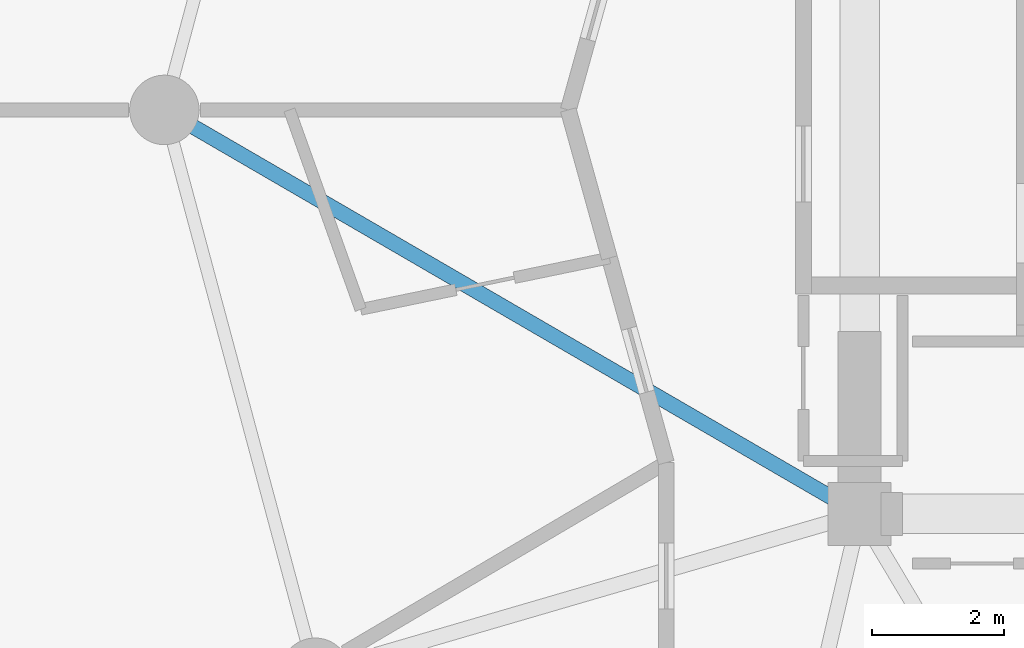
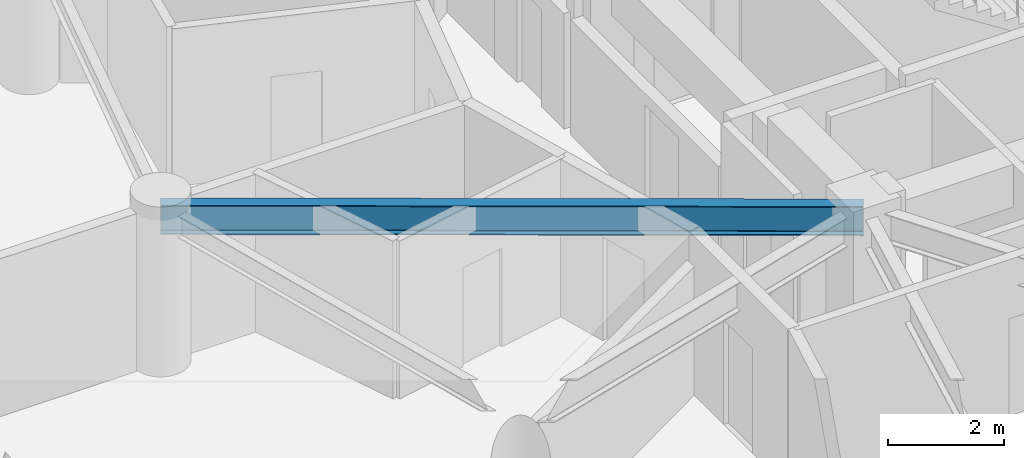
# One storey, part 7 of 25: 1 beam.
"""IFC4 building model written with IfcOpenShell, lengths in metres."""

from ifc_helpers import new_model, si_unit, direction, frame, origin, origin_2d, place, context, subcontext, project, spatial, i_section, extrude, material, material_profile, profile_set, type_object, element, save


model = new_model("IFC4")

# Units and contexts
model_context = context("Model", 3, precision=1e-05, world=origin(), true_north=direction((0.0, 1.0)))
body_context = subcontext(model_context, "Body", "Model", "MODEL_VIEW")
ifc_project = project(units=[si_unit("LENGTHUNIT", "METRE"), si_unit("AREAUNIT", "SQUARE_METRE"), si_unit("VOLUMEUNIT", "CUBIC_METRE"), si_unit("PLANEANGLEUNIT", "RADIAN"), si_unit("MASSUNIT", "GRAM", prefix="KILO")], contexts=[model_context])

# Site, building, storey
site_placement = place(None, origin())
site = spatial("IfcSite", under=ifc_project, at=site_placement, CompositionType="ELEMENT")
building_placement = place(site_placement, origin())
building = spatial("IfcBuilding", under=site, at=building_placement, Name="Solvirekh Grand Hotel", CompositionType="ELEMENT")
storey_placement = place(building_placement, frame((0.0, 0.0, 127.800048828125)))
storey = spatial("IfcBuildingStorey", under=building, at=storey_placement, Name="L32", CompositionType="ELEMENT", Elevation=127.800048828125)

# Beam
ifc_material = material(Name="Steel S355", Category="steel")
ifc_material_profile = material_profile(ifc_material, i_section(OverallWidth=0.22802734375, OverallDepth=0.616943359375, WebThickness=0.012939453125, FlangeThickness=0.02001953125, FilletRadius=0.014892578125, at=origin_2d()), Name="W610X140")
ifc_profile_set = profile_set([ifc_material_profile], Name="Steel S355")
beam_type = type_object("IfcBeamType", Name="Beam_Radial_W610", PredefinedType="BEAM", material=ifc_profile_set)
beam_placement = place(storey_placement, frame((-6.5, -6.10009765625, 3.041015625), z_axis=(-0.864670076815, 0.50234018181, 0.0), x_axis=(-0.50234018181, -0.864670076815, 0.0)))
element("IfcBeam", 1, at=beam_placement, inside=storey, type_object=beam_type, Name="L32 radial floor beam R07", PredefinedType="BEAM", context=body_context, shape_type="SweptSolid", body=[
    extrude(i_section(OverallWidth=0.22802734375, OverallDepth=0.616943359375, WebThickness=0.012939453125, FlangeThickness=0.02001953125, FilletRadius=0.014892578125, at=origin_2d()), origin(), (0.0, 0.0, 1.0), 12.143310546875),
])

save(model, "model.ifc")
